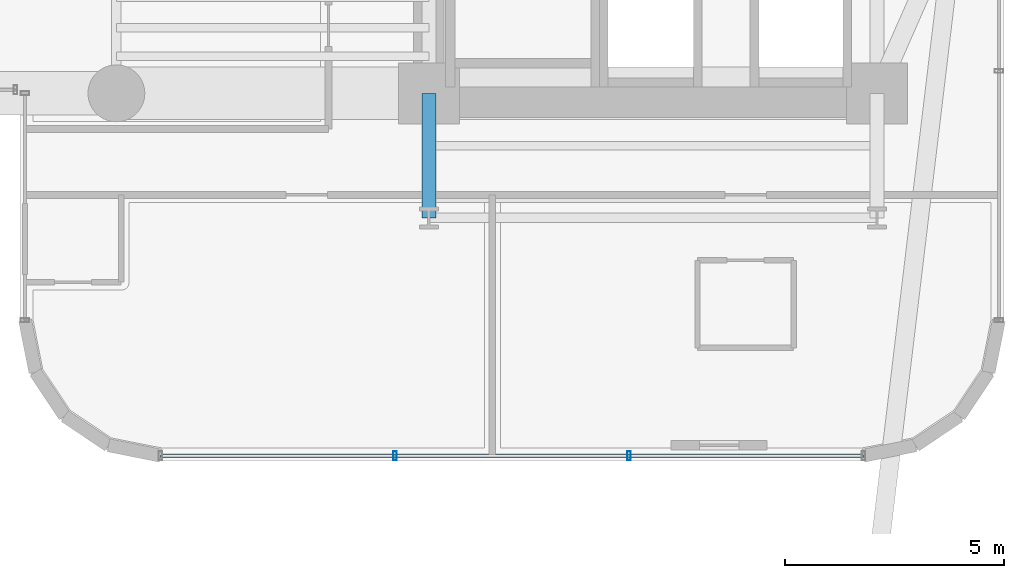
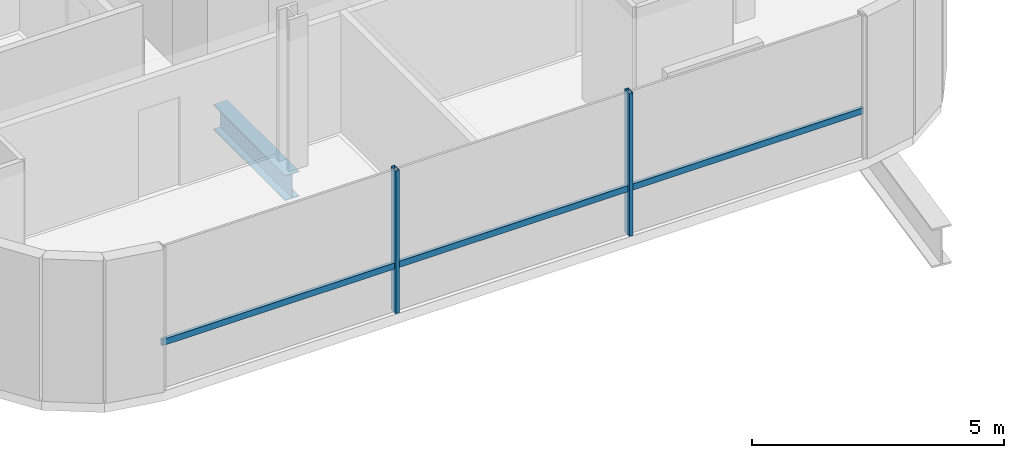
# One storey, part 4 of 50: 3 members, 1 beam, 1 element without a shape of its own.
"""IFC4 building model written with IfcOpenShell, lengths in metres."""

from ifc_helpers import new_model, si_unit, direction, frame, origin, origin_2d, place, context, subcontext, project, spatial, hollow_rectangle, i_section, extrude, source, transform, mapped, material, material_profile, profile_set, type_object, element, aggregate, save


model = new_model("IFC4")

# Units and contexts
model_context = context("Model", 3, precision=1e-05, world=origin(), true_north=direction((0.0, 1.0)))
body_context = subcontext(model_context, "Body", "Model", "MODEL_VIEW")
ifc_project = project(units=[si_unit("LENGTHUNIT", "METRE"), si_unit("AREAUNIT", "SQUARE_METRE"), si_unit("VOLUMEUNIT", "CUBIC_METRE"), si_unit("PLANEANGLEUNIT", "RADIAN"), si_unit("MASSUNIT", "GRAM", prefix="KILO")], contexts=[model_context])

# Site, building, storey
site_placement = place(None, origin())
site = spatial("IfcSite", under=ifc_project, at=site_placement, CompositionType="ELEMENT")
building_placement = place(site_placement, origin())
building = spatial("IfcBuilding", under=site, at=building_placement, Name="Valdorenza Pilgrim Sanctuary Tower", CompositionType="ELEMENT")
storey_placement = place(building_placement, frame((0.0, 0.0, 26.0)))
storey = spatial("IfcBuildingStorey", under=building, at=storey_placement, Name="L05", CompositionType="ELEMENT", Elevation=26.0)

# Beam
ifc_material_1 = material(Name="Steel ASTM A992 Grade 50", Category="steel")
ifc_material_profile_1 = material_profile(ifc_material_1, i_section(OverallWidth=0.323974609375, OverallDepth=0.611083984375, WebThickness=0.0126953125, FlangeThickness=0.01904296875, at=origin_2d()), Name="W24X104")
ifc_profile_set_1 = profile_set([ifc_material_profile_1], Name="Steel ASTM A992 Grade 50")
beam_type = type_object("IfcBeamType", Name="STR-BM-GRD-W24B", PredefinedType="BEAM", material=ifc_profile_set_1)
shared_shape_1 = source(origin(), body_context, "Body", "SweptSolid", [
    extrude(i_section(OverallWidth=0.323974609375, OverallDepth=0.611083984375, WebThickness=0.0126953125, FlangeThickness=0.01904296875, at=origin_2d()), origin(), (0.0, 0.0, 1.0), 2.849853515625),
])
beam_placement = place(storey_placement, frame((-22.64990234375, -13.449951171875, -0.54541015625), z_axis=(0.0, 1.0, 0.0), x_axis=(-1.0, 0.0, 0.0)))
element("IfcBeam", 1, at=beam_placement, inside=storey, type_object=beam_type, Name="L05 Floor Girder WA-S-LW", PredefinedType="BEAM", context=body_context, shape_type="MappedRepresentation", body=[
    mapped(shared_shape_1, transform((0.0, 0.0, 0.0), x_axis=(1.0, 0.0, 0.0), y_axis=(0.0, 1.0, 0.0), z_axis=(0.0, 0.0, 1.0), scale=1.0)),
])

# Curtain wall, members
ifc_material_2 = material(Name="Curtain-wall IGU glazing", Category="glass")
curtain_wall_type = type_object("IfcCurtainWallType", Name="CW-SYS-02", PredefinedType="NOTDEFINED", material=ifc_material_2)
curtain_wall_placement = place(storey_placement, origin())
curtain_wall = element("IfcCurtainWall", 2, at=curtain_wall_placement, inside=storey, type_object=curtain_wall_type, Name="L05 Curtain Wall CW-L05-1-46", PredefinedType="NOTDEFINED")
ifc_material_3 = material(Name="Anodised aluminium AW-6060", Category="aluminium")
ifc_material_profile_2 = material_profile(ifc_material_3, hollow_rectangle(XDim=0.0849609375, YDim=0.199951171875, WallThickness=0.0048828125, at=origin_2d()), Name="ALU-M 200x85x5")
ifc_profile_set_2 = profile_set([ifc_material_profile_2], Name="Anodised aluminium AW-6060")
member_type_1 = type_object("IfcMemberType", Name="CW-MUL-02", PredefinedType="MULLION", material=ifc_profile_set_2)
shared_shape_2 = source(origin(), body_context, "Body", "SweptSolid", [
    extrude(hollow_rectangle(XDim=0.0849609375, YDim=0.199951171875, WallThickness=0.0048828125, at=origin_2d()), origin(), (0.0, 0.0, 1.0), 3.4599609375),
])
member_1_placement = place(storey_placement, frame((-18.0703125, -18.889892578125, 0.0), z_axis=(0.0, 0.0, 1.0), x_axis=(-1.0, 0.0, 0.0)))
member_1 = element("IfcMember", 3, at=member_1_placement, type_object=member_type_1, Name="CW-L05-1-46 Mullion 2", PredefinedType="MULLION", context=body_context, shape_type="MappedRepresentation", body=[
    mapped(shared_shape_2, transform((0.0, 0.0, 0.0), x_axis=(1.0, 0.0, 0.0), y_axis=(0.0, 1.0, 0.0), z_axis=(0.0, 0.0, 1.0), scale=1.0)),
])
member_2_placement = place(storey_placement, frame((-23.4296875, -18.889892578125, 0.0), z_axis=(0.0, 0.0, 1.0), x_axis=(-1.0, 0.0, 0.0)))
member_2 = element("IfcMember", 4, at=member_2_placement, type_object=member_type_1, Name="CW-L05-1-46 Mullion 3", PredefinedType="MULLION", context=body_context, shape_type="MappedRepresentation", body=[
    mapped(shared_shape_2, transform((0.0, 0.0, 0.0), x_axis=(1.0, 0.0, 0.0), y_axis=(0.0, 1.0, 0.0), z_axis=(0.0, 0.0, 1.0), scale=1.0)),
])
ifc_material_profile_3 = material_profile(ifc_material_3, hollow_rectangle(XDim=0.074951171875, YDim=0.14990234375, WallThickness=0.00390625, at=origin_2d()), Name="ALU-T 150x75x4")
ifc_profile_set_3 = profile_set([ifc_material_profile_3], Name="Anodised aluminium AW-6060")
member_type_2 = type_object("IfcMemberType", Name="CW-TRN-02", PredefinedType="USERDEFINED", material=ifc_profile_set_3)
shared_shape_3 = source(origin(), body_context, "Body", "SweptSolid", [
    extrude(hollow_rectangle(XDim=0.074951171875, YDim=0.14990234375, WallThickness=0.00390625, at=origin_2d()), origin(), (0.0, 0.0, 1.0), 16.07861328125),
])
member_3_placement = place(storey_placement, frame((-12.710693359375, -18.889892578125, 1.1201171875), z_axis=(-1.0, 0.0, 0.0), x_axis=(0.0, -1.0, 0.0)))
member_3 = element("IfcMember", 5, at=member_3_placement, type_object=member_type_2, Name="CW-L05-1-46 Transom 1", ObjectType="TRANSOM", PredefinedType="USERDEFINED", context=body_context, shape_type="MappedRepresentation", body=[
    mapped(shared_shape_3, transform((0.0, 0.0, 0.0), x_axis=(1.0, 0.0, 0.0), y_axis=(0.0, 1.0, 0.0), z_axis=(0.0, 0.0, 1.0), scale=1.0)),
])
aggregate(curtain_wall, [member_1, member_2, member_3])

save(model, "model.ifc")
